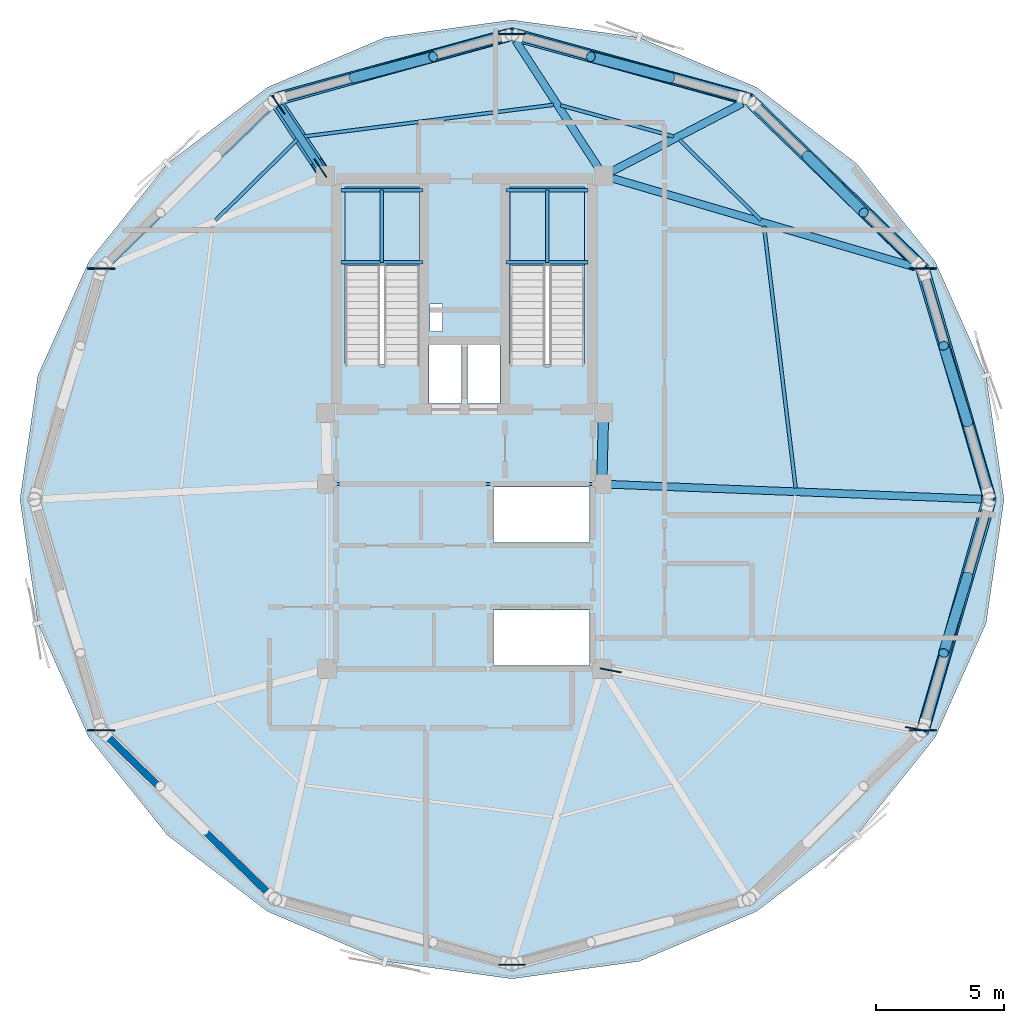
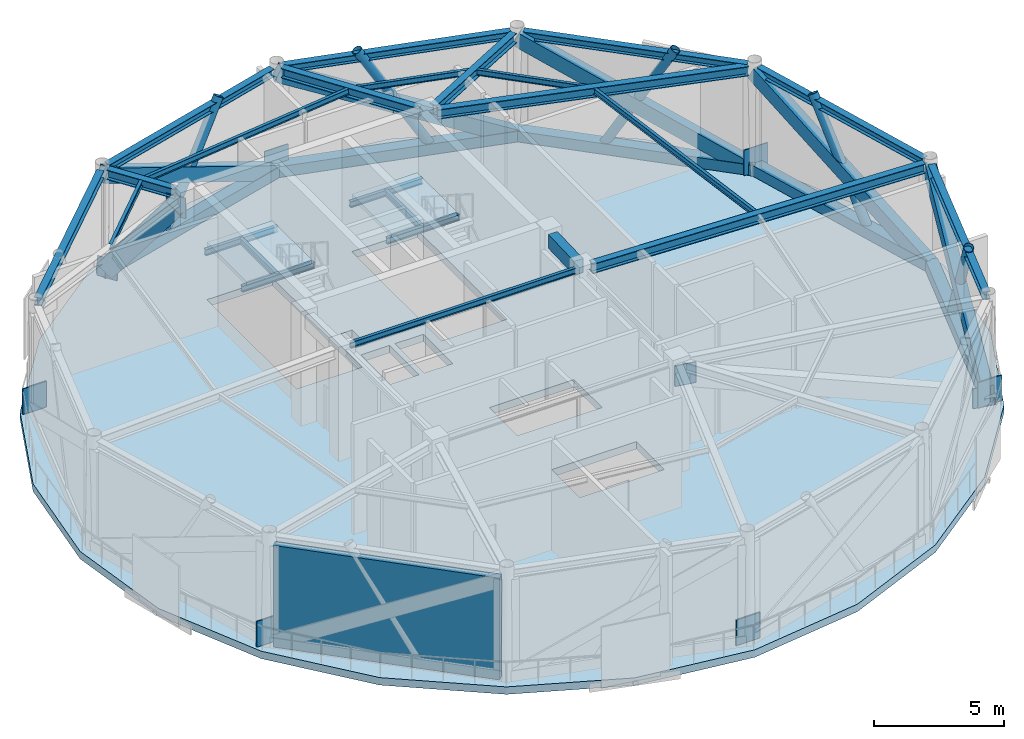
# One storey, part 2 of 10: 24 beams, 16 members, 10 plates, 3 slabs, 1 wall, 2 elements without a shape of their own.
"""IFC4 building model written with IfcOpenShell, lengths in metres."""

from ifc_helpers import new_model, si_unit, direction, frame, frame_2d, origin, origin_2d, place, context, subcontext, project, spatial, polyline, rectangle, hollow_rectangle, hollow_circle, i_section, outline, extrude, material, layer, layer_set, material_profile, profile_set, type_object, element, aggregate, save


model = new_model("IFC4")

# Units and contexts
model_context = context("Model", 3, precision=1e-05, world=origin(), true_north=direction((0.0, 1.0)))
body_context = subcontext(model_context, "Body", "Model", "MODEL_VIEW")
ifc_project = project(units=[si_unit("LENGTHUNIT", "METRE"), si_unit("AREAUNIT", "SQUARE_METRE"), si_unit("VOLUMEUNIT", "CUBIC_METRE"), si_unit("PLANEANGLEUNIT", "RADIAN"), si_unit("MASSUNIT", "GRAM", prefix="KILO")], contexts=[model_context])

# Site, building, storey
site_placement = place(None, origin())
site = spatial("IfcSite", under=ifc_project, at=site_placement, CompositionType="ELEMENT")
building_placement = place(site_placement, origin())
building = spatial("IfcBuilding", under=site, at=building_placement, Name="Varnakorn Sky Granary", CompositionType="ELEMENT")
storey_placement = place(building_placement, frame((0.0, 0.0, 240.0)))
storey = spatial("IfcBuildingStorey", under=building, at=storey_placement, Name="L61", CompositionType="ELEMENT", Elevation=240.0)

# Beams
ifc_material_1 = material(Name="Concrete C50/60", Category="concrete")
ifc_material_profile_1 = material_profile(ifc_material_1, rectangle(XDim=0.39990234375, YDim=0.64990234375, at=origin_2d()), Name="RC 400x650")
ifc_profile_set_1 = profile_set([ifc_material_profile_1], Name="Concrete C50/60")
beam_type_1 = type_object("IfcBeamType", Name="BM-LIN-650", PredefinedType="LINTEL", material=ifc_profile_set_1)
beam_1_placement = place(storey_placement, frame((8.4111328125, 3.025146484375, 4.8349609375), z_axis=(-0.025227817192, -0.999681727971, 0.0), x_axis=(0.999681727971, -0.025227817192, 0.0)))
element("IfcBeam", 1, at=beam_1_placement, inside=storey, type_object=beam_type_1, Name="Core Spine Framing Beam 2 L61", PredefinedType="LINTEL", context=body_context, shape_type="SweptSolid", body=[
    extrude(rectangle(XDim=0.39990234375, YDim=0.64990234375, at=origin_2d()), origin(), (0.0, 0.0, 1.0), 2.071044921875),
])
ifc_material_2 = material(Name="Steel S355JR", Category="steel")
ifc_material_profile_2 = material_profile(ifc_material_2, i_section(OverallWidth=0.135009765625, OverallDepth=0.27001953125, WebThickness=0.006591796875, FlangeThickness=0.01025390625, at=origin_2d()), Name="IPE 270")
ifc_profile_set_2 = profile_set([ifc_material_profile_2], Name="Steel S355JR")
beam_type_2 = type_object("IfcBeamType", Name="BM-LND-270", PredefinedType="BEAM", material=ifc_profile_set_2)
for number, where, z_axis, x_axis, name in (
    (2, (-1.820068359375, 9.239990234375, 2.364990234375), (1.0, 0.0, 0.0), (0.0, 1.0, 0.0), "Stair ST-1 Landing Trimmer Beam A L61-1"),
    (3, (-1.820068359375, 12.06005859375, 2.364990234375), (1.0, 0.0, 0.0), (0.0, 1.0, 0.0), "Stair ST-1 Landing Trimmer Beam B L61-1"),
):
    element("IfcBeam", number, at=place(storey_placement, frame(where, z_axis=z_axis, x_axis=x_axis)), inside=storey, type_object=beam_type_2, Name=name, PredefinedType="BEAM", context=body_context, shape_type="SweptSolid", body=[
        extrude(i_section(OverallWidth=0.135009765625, OverallDepth=0.27001953125, WebThickness=0.006591796875, FlangeThickness=0.01025390625, at=origin_2d()), origin(), (0.0, 0.0, 1.0), 3.199951171875),
    ])
beam_2_placement = place(storey_placement, frame((-0.219970703125, 9.239990234375, 2.364990234375), z_axis=(0.0, 1.0, 0.0), x_axis=(-1.0, 0.0, 0.0)))
element("IfcBeam", 4, at=beam_2_placement, inside=storey, type_object=beam_type_2, Name="Stair ST-1 Landing Cross Beam C L61-1", PredefinedType="BEAM", context=body_context, shape_type="SweptSolid", body=[
    extrude(i_section(OverallWidth=0.135009765625, OverallDepth=0.27001953125, WebThickness=0.006591796875, FlangeThickness=0.01025390625, at=origin_2d()), origin(), (0.0, 0.0, 1.0), 2.820068359375),
])
for number, where, z_axis, x_axis, name in (
    (5, (4.6201171875, 9.239990234375, 2.364990234375), (1.0, 0.0, 0.0), (0.0, 1.0, 0.0), "Stair ST-2 Landing Trimmer Beam A L61-1"),
    (6, (4.6201171875, 12.06005859375, 2.364990234375), (1.0, 0.0, 0.0), (0.0, 1.0, 0.0), "Stair ST-2 Landing Trimmer Beam B L61-1"),
):
    element("IfcBeam", number, at=place(storey_placement, frame(where, z_axis=z_axis, x_axis=x_axis)), inside=storey, type_object=beam_type_2, Name=name, PredefinedType="BEAM", context=body_context, shape_type="SweptSolid", body=[
        extrude(i_section(OverallWidth=0.135009765625, OverallDepth=0.27001953125, WebThickness=0.006591796875, FlangeThickness=0.01025390625, at=origin_2d()), origin(), (0.0, 0.0, 1.0), 3.199951171875),
    ])
beam_3_placement = place(storey_placement, frame((6.219970703125, 9.239990234375, 2.364990234375), z_axis=(0.0, 1.0, 0.0), x_axis=(-1.0, 0.0, 0.0)))
element("IfcBeam", 7, at=beam_3_placement, inside=storey, type_object=beam_type_2, Name="Stair ST-2 Landing Cross Beam C L61-1", PredefinedType="BEAM", context=body_context, shape_type="SweptSolid", body=[
    extrude(i_section(OverallWidth=0.135009765625, OverallDepth=0.27001953125, WebThickness=0.006591796875, FlangeThickness=0.01025390625, at=origin_2d()), origin(), (0.0, 0.0, 1.0), 2.820068359375),
])
ifc_material_profile_3 = material_profile(ifc_material_2, i_section(OverallWidth=0.300048828125, OverallDepth=0.449951171875, WebThickness=0.013916015625, FlangeThickness=0.02587890625, at=origin_2d()), Name="HE 450 B")
ifc_profile_set_3 = profile_set([ifc_material_profile_3], Name="Steel S355JR")
beam_type_3 = type_object("IfcBeamType", Name="BM-RAD-Z5", PredefinedType="BEAM", material=ifc_profile_set_3)
beam_4_placement = place(storey_placement, frame((8.70458984375, 0.5859375, 4.93505859375), z_axis=(0.999207366907, -0.03980751084, 0.0), x_axis=(0.03980751084, 0.999207366907, 0.0)))
element("IfcBeam", 8, at=beam_4_placement, inside=storey, type_object=beam_type_3, Name="Radial Floor Girder RG01 L61", PredefinedType="BEAM", context=body_context, shape_type="SweptSolid", body=[
    extrude(i_section(OverallWidth=0.300048828125, OverallDepth=0.449951171875, WebThickness=0.013916015625, FlangeThickness=0.02587890625, at=origin_2d()), origin(), (0.0, 0.0, 1.0), 14.45556640625),
])
beam_5_placement = place(storey_placement, frame((8.760498046875, 12.52001953125, 4.93505859375), z_axis=(0.959566406623, -0.281482346304, 0.0), x_axis=(0.281482346304, 0.959566406623, 0.0)))
element("IfcBeam", 9, at=beam_5_placement, inside=storey, type_object=beam_type_3, Name="Radial Floor Girder RG02 L61", PredefinedType="BEAM", context=body_context, shape_type="SweptSolid", body=[
    extrude(i_section(OverallWidth=0.300048828125, OverallDepth=0.449951171875, WebThickness=0.013916015625, FlangeThickness=0.02587890625, at=origin_2d()), origin(), (0.0, 0.0, 1.0), 12.2919921875),
])
beam_6_placement = place(storey_placement, frame((8.73486328125, 12.7841796875, 4.93505859375), z_axis=(0.886683317226, 0.46237722149, 0.0), x_axis=(-0.46237722149, 0.886683317226, 0.0)))
element("IfcBeam", 10, at=beam_6_placement, inside=storey, type_object=beam_type_3, Name="Radial Floor Girder RG03 L61", PredefinedType="BEAM", context=body_context, shape_type="SweptSolid", body=[
    extrude(i_section(OverallWidth=0.300048828125, OverallDepth=0.449951171875, WebThickness=0.013916015625, FlangeThickness=0.02587890625, at=origin_2d()), origin(), (0.0, 0.0, 1.0), 5.745849609375),
])
beam_7_placement = place(storey_placement, frame((8.226318359375, 12.91748046875, 4.93505859375), z_axis=(-0.545405351521, 0.838172418141, 0.0), x_axis=(-0.838172418141, -0.545405351521, 0.0)))
element("IfcBeam", 11, at=beam_7_placement, inside=storey, type_object=beam_type_3, Name="Radial Floor Girder RG04 L61", PredefinedType="BEAM", context=body_context, shape_type="SweptSolid", body=[
    extrude(i_section(OverallWidth=0.300048828125, OverallDepth=0.449951171875, WebThickness=0.013916015625, FlangeThickness=0.02587890625, at=origin_2d()), origin(), (0.0, 0.0, 1.0), 5.92578125),
])
beam_8_placement = place(storey_placement, frame((-2.615478515625, 12.916259765625, 4.93505859375), z_axis=(-0.551188382075, 0.834380828798, 0.0), x_axis=(-0.834380828798, -0.551188382075, 0.0)))
element("IfcBeam", 12, at=beam_8_placement, inside=storey, type_object=beam_type_3, Name="Radial Floor Girder RG05 L61", PredefinedType="BEAM", context=body_context, shape_type="SweptSolid", body=[
    extrude(i_section(OverallWidth=0.300048828125, OverallDepth=0.449951171875, WebThickness=0.013916015625, FlangeThickness=0.02587890625, at=origin_2d()), origin(), (0.0, 0.0, 1.0), 2.907958984375),
])
ifc_material_profile_4 = material_profile(ifc_material_2, i_section(OverallWidth=0.135009765625, OverallDepth=0.27001953125, WebThickness=0.006591796875, FlangeThickness=0.01025390625, at=origin_2d()), Name="IPE 270")
ifc_profile_set_4 = profile_set([ifc_material_profile_4], Name="Steel S355JR")
beam_type_4 = type_object("IfcBeamType", Name="BM-SEC-Z5", PredefinedType="BEAM", material=ifc_profile_set_4)
beam_9_placement = place(storey_placement, frame((15.909912109375, 0.437255859375, 5.02490234375), z_axis=(-0.120050017353, 0.992767844631, 0.0), x_axis=(-0.992767844631, -0.120050017353, 0.0)))
element("IfcBeam", 13, at=beam_9_placement, inside=storey, type_object=beam_type_4, Name="Secondary Floor Chord Beam MSB01 L61", PredefinedType="BEAM", context=body_context, shape_type="SweptSolid", body=[
    extrude(i_section(OverallWidth=0.135009765625, OverallDepth=0.27001953125, WebThickness=0.006591796875, FlangeThickness=0.01025390625, at=origin_2d()), origin(), (0.0, 0.0, 1.0), 10.288330078125),
])
beam_10_placement = place(storey_placement, frame((14.55810546875, 10.88818359375, 5.02490234375), z_axis=(-0.712699529085, 0.701469444268, 0.0), x_axis=(-0.701469444268, -0.712699529085, 0.0)))
element("IfcBeam", 14, at=beam_10_placement, inside=storey, type_object=beam_type_4, Name="Secondary Floor Chord Beam MSB02 L61", PredefinedType="BEAM", context=body_context, shape_type="SweptSolid", body=[
    extrude(i_section(OverallWidth=0.135009765625, OverallDepth=0.27001953125, WebThickness=0.006591796875, FlangeThickness=0.01025390625, at=origin_2d()), origin(), (0.0, 0.0, 1.0), 4.456787109375),
])
beam_11_placement = place(storey_placement, frame((11.147216796875, 14.14990234375, 5.02490234375), z_axis=(-0.964017191368, 0.265839904353, 0.0), x_axis=(-0.265839904353, -0.964017191368, 0.0)))
element("IfcBeam", 15, at=beam_11_placement, inside=storey, type_object=beam_type_4, Name="Secondary Floor Chord Beam MSB03 L61", PredefinedType="BEAM", context=body_context, shape_type="SweptSolid", body=[
    extrude(i_section(OverallWidth=0.135009765625, OverallDepth=0.27001953125, WebThickness=0.006591796875, FlangeThickness=0.01025390625, at=origin_2d()), origin(), (0.0, 0.0, 1.0), 4.566162109375),
])
beam_12_placement = place(storey_placement, frame((6.471435546875, 15.38330078125, 5.02490234375), z_axis=(-0.992055396936, -0.125801786199, 0.0), x_axis=(0.125801786199, -0.992055396936, 0.0)))
element("IfcBeam", 16, at=beam_12_placement, inside=storey, type_object=beam_type_4, Name="Secondary Floor Chord Beam MSB04 L61", PredefinedType="BEAM", context=body_context, shape_type="SweptSolid", body=[
    extrude(i_section(OverallWidth=0.135009765625, OverallDepth=0.27001953125, WebThickness=0.006591796875, FlangeThickness=0.01025390625, at=origin_2d()), origin(), (0.0, 0.0, 1.0), 9.82763671875),
])
beam_13_placement = place(storey_placement, frame((-3.5166015625, 14.031005859375, 5.02490234375), z_axis=(-0.711830622173, -0.702351169528, 0.0), x_axis=(0.702351169528, -0.711830622173, 0.0)))
element("IfcBeam", 17, at=beam_13_placement, inside=storey, type_object=beam_type_4, Name="Secondary Floor Chord Beam MSB05 L61", PredefinedType="BEAM", context=body_context, shape_type="SweptSolid", body=[
    extrude(i_section(OverallWidth=0.135009765625, OverallDepth=0.27001953125, WebThickness=0.006591796875, FlangeThickness=0.01025390625, at=origin_2d()), origin(), (0.0, 0.0, 1.0), 4.481201171875),
])
beam_14_placement = place(storey_placement, frame((-1.9951171875, 0.60009765625, 5.02490234375), z_axis=(1.0, 0.0, 0.0), x_axis=(0.0, 1.0, 0.0)))
element("IfcBeam", 18, at=beam_14_placement, inside=storey, type_object=beam_type_4, Name="Core Spine Framing Beam 5 L61", PredefinedType="BEAM", context=body_context, shape_type="SweptSolid", body=[
    extrude(i_section(OverallWidth=0.135009765625, OverallDepth=0.27001953125, WebThickness=0.006591796875, FlangeThickness=0.01025390625, at=origin_2d()), origin(), (0.0, 0.0, 1.0), 9.990234375),
])
ifc_material_profile_5 = material_profile(ifc_material_2, i_section(OverallWidth=0.300048828125, OverallDepth=0.360107421875, WebThickness=0.012451171875, FlangeThickness=0.0224609375, at=origin_2d()), Name="HE 360 B")
ifc_profile_set_5 = profile_set([ifc_material_profile_5], Name="Steel S355JR")
beam_type_5 = type_object("IfcBeamType", Name="BM-SPD-Z5", PredefinedType="SPANDREL", material=ifc_profile_set_5)
beam_15_placement = place(storey_placement, frame((23.33935546875, 0.25390625, 4.97998046875), z_axis=(-0.278321345888, 0.960488015762, 0.0), x_axis=(-0.960488015762, -0.278321345888, 0.0)))
element("IfcBeam", 19, at=beam_15_placement, inside=storey, type_object=beam_type_5, Name="Perimeter Spandrel Ring Beam RB01 L61", PredefinedType="SPANDREL", context=body_context, shape_type="SweptSolid", body=[
    extrude(i_section(OverallWidth=0.300048828125, OverallDepth=0.360107421875, WebThickness=0.012451171875, FlangeThickness=0.0224609375, at=origin_2d()), origin(), (0.0, 0.0, 1.0), 8.826171875),
])
beam_16_placement = place(storey_placement, frame((20.61962890625, 9.170166015625, 4.97998046875), z_axis=(-0.715919168212, 0.698183174093, 0.0), x_axis=(-0.698183174093, -0.715919168212, 0.0)))
element("IfcBeam", 20, at=beam_16_placement, inside=storey, type_object=beam_type_5, Name="Perimeter Spandrel Ring Beam RB02 L61", PredefinedType="SPANDREL", context=body_context, shape_type="SweptSolid", body=[
    extrude(i_section(OverallWidth=0.300048828125, OverallDepth=0.360107421875, WebThickness=0.012451171875, FlangeThickness=0.0224609375, at=origin_2d()), origin(), (0.0, 0.0, 1.0), 8.892333984375),
])
for number, where, z_axis, x_axis, name in (
    (21, (13.80908203125, 15.6337890625, 4.97998046875), (-0.963972060188, 0.266003509709, 0.0), (-0.266003509709, -0.963972060188, 0.0), "Perimeter Spandrel Ring Beam RB03 L61"),
    (22, (4.594970703125, 18.03564453125, 4.97998046875), (-0.963970146935, -0.266010443061, 0.0), (0.266010443061, -0.963970146935, 0.0), "Perimeter Spandrel Ring Beam RB04 L61"),
):
    element("IfcBeam", number, at=place(storey_placement, frame(where, z_axis=z_axis, x_axis=x_axis)), inside=storey, type_object=beam_type_5, Name=name, PredefinedType="SPANDREL", context=body_context, shape_type="SweptSolid", body=[
        extrude(i_section(OverallWidth=0.300048828125, OverallDepth=0.360107421875, WebThickness=0.012451171875, FlangeThickness=0.0224609375, at=origin_2d()), origin(), (0.0, 0.0, 1.0), 9.029296875),
    ])
beam_17_placement = place(storey_placement, frame((-4.553466796875, 15.378662109375, 4.97998046875), z_axis=(-0.715919168212, -0.698183174093, 0.0), x_axis=(0.698183174093, -0.715919168212, 0.0)))
element("IfcBeam", 23, at=beam_17_placement, inside=storey, type_object=beam_type_5, Name="Perimeter Spandrel Ring Beam RB05 L61", PredefinedType="SPANDREL", context=body_context, shape_type="SweptSolid", body=[
    extrude(i_section(OverallWidth=0.300048828125, OverallDepth=0.360107421875, WebThickness=0.012451171875, FlangeThickness=0.0224609375, at=origin_2d()), origin(), (0.0, 0.0, 1.0), 8.892333984375),
])
beam_18_placement = place(storey_placement, frame((20.8828125, -8.7314453125, 4.97998046875), z_axis=(0.278321345888, 0.960488015762, 0.0), x_axis=(-0.960488015762, 0.278321345888, 0.0)))
element("IfcBeam", 24, at=beam_18_placement, inside=storey, type_object=beam_type_5, Name="Perimeter Spandrel Ring Beam RB12 L61", PredefinedType="SPANDREL", context=body_context, shape_type="SweptSolid", body=[
    extrude(i_section(OverallWidth=0.300048828125, OverallDepth=0.360107421875, WebThickness=0.012451171875, FlangeThickness=0.0224609375, at=origin_2d()), origin(), (0.0, 0.0, 1.0), 8.826171875),
])

# Members
ifc_material_3 = material(Name="Steel S460M", Category="steel")
ifc_material_profile_6 = material_profile(ifc_material_3, hollow_rectangle(XDim=0.449951171875, YDim=0.64990234375, WallThickness=0.02490234375, at=origin_2d()), Name="RHS 450x650x25")
ifc_profile_set_6 = profile_set([ifc_material_profile_6], Name="Steel S460M")
member_type_1 = type_object("IfcMemberType", Name="MB-BELT-650", PredefinedType="BRACE", material=ifc_profile_set_6)
member_1_placement = place(storey_placement, frame((23.48095703125, 0.0, 0.14990234375), z_axis=(-0.255221347058, 0.858317039333, 0.445144834854), x_axis=(-0.95852231972, -0.285017477707, 0.0)))
element("IfcMember", 25, at=member_1_placement, inside=storey, type_object=member_type_1, Name="Perimeter Belt-Truss Diagonal BT01 L61", PredefinedType="BRACE", context=body_context, shape_type="SweptSolid", body=[
    extrude(hollow_rectangle(XDim=0.449951171875, YDim=0.64990234375, WallThickness=0.02490234375, at=origin_2d()), origin(), (0.0, 0.0, 1.0), 10.46875),
])
member_2_placement = place(storey_placement, frame((20.867919921875, 9.00244140625, 0.14990234375), z_axis=(-0.645643365632, 0.622568953483, 0.442213232021), x_axis=(-0.694126488243, -0.719853053282, 0.0)))
element("IfcMember", 26, at=member_2_placement, inside=storey, type_object=member_type_1, Name="Perimeter Belt-Truss Diagonal BT02 L61", PredefinedType="BRACE", context=body_context, shape_type="SweptSolid", body=[
    extrude(hollow_rectangle(XDim=0.449951171875, YDim=0.64990234375, WallThickness=0.02490234375, at=origin_2d()), origin(), (0.0, 0.0, 1.0), 10.538330078125),
])
member_3_placement = place(storey_placement, frame((14.097900390625, 15.5927734375, 0.14990234375), z_axis=(-0.867831519865, 0.235841961654, 0.43731798757), x_axis=(-0.262248572066, -0.965000355673, 0.0)))
element("IfcMember", 27, at=member_3_placement, inside=storey, type_object=member_type_1, Name="Perimeter Belt-Truss Diagonal BT03 L61", PredefinedType="BRACE", context=body_context, shape_type="SweptSolid", body=[
    extrude(hollow_rectangle(XDim=0.449951171875, YDim=0.64990234375, WallThickness=0.02490234375, at=origin_2d()), origin(), (0.0, 0.0, 1.0), 10.65625),
])
member_4_placement = place(storey_placement, frame((4.85009765625, 18.139892578125, 0.14990234375), z_axis=(-0.865810183593, -0.242117608904, 0.437894724157), x_axis=(0.269310942869, -0.963053277888, 0.0)))
element("IfcMember", 28, at=member_4_placement, inside=storey, type_object=member_type_1, Name="Perimeter Belt-Truss Diagonal BT04 L61", PredefinedType="BRACE", context=body_context, shape_type="SweptSolid", body=[
    extrude(hollow_rectangle(XDim=0.449951171875, YDim=0.64990234375, WallThickness=0.02490234375, at=origin_2d()), origin(), (0.0, 0.0, 1.0), 10.64208984375),
])
member_5_placement = place(storey_placement, frame((20.867919921875, -9.00244140625, 0.14990234375), z_axis=(0.243515999807, 0.861334194426, 0.445873707848), x_axis=(-0.962281485658, 0.272055770678, 0.0)))
element("IfcMember", 29, at=member_5_placement, inside=storey, type_object=member_type_1, Name="Perimeter Belt-Truss Diagonal BT12 L61", PredefinedType="BRACE", context=body_context, shape_type="SweptSolid", body=[
    extrude(hollow_rectangle(XDim=0.449951171875, YDim=0.64990234375, WallThickness=0.02490234375, at=origin_2d()), origin(), (0.0, 0.0, 1.0), 10.45166015625),
])
ifc_material_profile_7 = material_profile(ifc_material_3, hollow_rectangle(XDim=0.5, YDim=0.5, WallThickness=0.02490234375, at=origin_2d()), Name="SHS 500x500x25")
ifc_profile_set_7 = profile_set([ifc_material_profile_7], Name="Steel S460M")
member_type_2 = type_object("IfcMemberType", Name="MB-CHD-500", PredefinedType="CHORD", material=ifc_profile_set_7)
member_6_placement = place(storey_placement, frame((23.48095703125, 0.0, 0.25), z_axis=(-0.278753631457, 0.960362646582, 0.0), x_axis=(-0.960362646582, -0.278753631457, 0.0)))
element("IfcMember", 30, at=member_6_placement, inside=storey, type_object=member_type_2, Name="Belt-Truss Bottom Chord BCH01 L61", PredefinedType="CHORD", context=body_context, shape_type="SweptSolid", body=[
    extrude(hollow_rectangle(XDim=0.5, YDim=0.5, WallThickness=0.02490234375, at=origin_2d()), origin(), (0.0, 0.0, 1.0), 9.3740234375),
])
member_7_placement = place(storey_placement, frame((20.867919921875, 9.00244140625, 0.25), z_axis=(-0.716552075524, 0.697533599953, 0.0), x_axis=(-0.697533599953, -0.716552075524, 0.0)))
element("IfcMember", 31, at=member_7_placement, inside=storey, type_object=member_type_2, Name="Belt-Truss Bottom Chord BCH02 L61", PredefinedType="CHORD", context=body_context, shape_type="SweptSolid", body=[
    extrude(hollow_rectangle(XDim=0.5, YDim=0.5, WallThickness=0.02490234375, at=origin_2d()), origin(), (0.0, 0.0, 1.0), 9.447998046875),
])
for number, where, z_axis, x_axis, name in (
    (32, (14.097900390625, 15.5927734375, 0.25), (-0.964099410982, 0.265541570653, 0.0), (-0.265541570653, -0.964099410982, 0.0), "Belt-Truss Bottom Chord BCH03 L61"),
    (33, (4.85009765625, 18.139892578125, 0.25), (-0.964101205601, -0.265535054858, 0.0), (0.265535054858, -0.964101205601, 0.0), "Belt-Truss Bottom Chord BCH04 L61"),
):
    element("IfcMember", number, at=place(storey_placement, frame(where, z_axis=z_axis, x_axis=x_axis)), inside=storey, type_object=member_type_2, Name=name, PredefinedType="CHORD", context=body_context, shape_type="SweptSolid", body=[
        extrude(hollow_rectangle(XDim=0.5, YDim=0.5, WallThickness=0.02490234375, at=origin_2d()), origin(), (0.0, 0.0, 1.0), 9.59228515625),
    ])
member_8_placement = place(storey_placement, frame((20.867919921875, -9.00244140625, 0.25), z_axis=(0.278753631457, 0.960362646582, 0.0), x_axis=(-0.960362646582, 0.278753631457, 0.0)))
element("IfcMember", 34, at=member_8_placement, inside=storey, type_object=member_type_2, Name="Belt-Truss Bottom Chord BCH12 L61", PredefinedType="CHORD", context=body_context, shape_type="SweptSolid", body=[
    extrude(hollow_rectangle(XDim=0.5, YDim=0.5, WallThickness=0.02490234375, at=origin_2d()), origin(), (0.0, 0.0, 1.0), 9.3740234375),
])
ifc_material_profile_8 = material_profile(ifc_material_3, hollow_circle(Radius=0.203125, WallThickness=0.01611328125, at=origin_2d()), Name="CHS 406.4x16")
ifc_profile_set_8 = profile_set([ifc_material_profile_8], Name="Steel S460M")
member_type_3 = type_object("IfcMemberType", Name="MB-DIAG-T4", PredefinedType="BRACE", material=ifc_profile_set_8)
member_9_placement = place(storey_placement, frame((22.610107421875, 3.000732421875, -0.1298828125), z_axis=(-0.149066444452, 0.477582054503, 0.865849049405), x_axis=(-0.954581183662, -0.297950941932, 0.0)))
element("IfcMember", 35, at=member_9_placement, inside=storey, type_object=member_type_3, Name="Perimeter CHS Diagrid Brace DG01 L61", PredefinedType="BRACE", context=body_context, shape_type="SweptSolid", body=[
    extrude(hollow_circle(Radius=0.203125, WallThickness=0.01611328125, at=origin_2d()), origin(), (0.0, 0.0, 1.0), 6.259765625),
])
member_10_placement = place(storey_placement, frame((16.354736328125, 13.39599609375, -0.1298828125), z_axis=(0.352520820354, -0.354432453842, 0.866087008839), x_axis=(0.709016237656, 0.70519215448, 0.0)))
element("IfcMember", 36, at=member_10_placement, inside=storey, type_object=member_type_3, Name="Perimeter CHS Diagrid Brace DG02 L61", PredefinedType="BRACE", context=body_context, shape_type="SweptSolid", body=[
    extrude(hollow_circle(Radius=0.203125, WallThickness=0.01611328125, at=origin_2d()), origin(), (0.0, 0.0, 1.0), 6.258056640625),
])
for number, where, z_axis, x_axis, name in (
    (37, (11.015380859375, 16.44189453125, -0.1298828125), (-0.491575645516, 0.129711114859, 0.861120439554), (-0.255135438173, -0.966905325349, 0.0), "Perimeter CHS Diagrid Brace DG03 L61"),
    (38, (-1.315185546875, 16.44189453125, -0.1298828125), (0.491575645516, 0.129711114859, 0.861120439554), (-0.255135438173, 0.966905325349, 0.0), "Perimeter CHS Diagrid Brace DG04 L61"),
):
    element("IfcMember", number, at=place(storey_placement, frame(where, z_axis=z_axis, x_axis=x_axis)), inside=storey, type_object=member_type_3, Name=name, PredefinedType="BRACE", context=body_context, shape_type="SweptSolid", body=[
        extrude(hollow_circle(Radius=0.203125, WallThickness=0.01611328125, at=origin_2d()), origin(), (0.0, 0.0, 1.0), 6.2939453125),
    ])
member_11_placement = place(storey_placement, frame((22.610107421875, -3.000732421875, -0.1298828125), z_axis=(-0.149066444452, -0.477582054503, 0.865849049405), x_axis=(0.954581183662, -0.297950941932, 0.0)))
element("IfcMember", 39, at=member_11_placement, inside=storey, type_object=member_type_3, Name="Perimeter CHS Diagrid Brace DG12 L61", PredefinedType="BRACE", context=body_context, shape_type="SweptSolid", body=[
    extrude(hollow_circle(Radius=0.203125, WallThickness=0.01611328125, at=origin_2d()), origin(), (0.0, 0.0, 1.0), 6.259765625),
])
ifc_material_profile_9 = material_profile(ifc_material_3, hollow_rectangle(XDim=0.5, YDim=0.800048828125, WallThickness=0.030029296875, at=origin_2d()), Name="RHS 500x800x30")
ifc_profile_set_9 = profile_set([ifc_material_profile_9], Name="Steel S460M")
member_type_4 = type_object("IfcMemberType", Name="MB-OUT-800", PredefinedType="BRACE", material=ifc_profile_set_9)
member_12_placement = place(storey_placement, frame((-2.61669921875, 12.91552734375, 4.31005859375), z_axis=(-0.336440686436, 0.505665930152, -0.794424088), x_axis=(-0.83255902979, -0.553936333811, 0.0)))
element("IfcMember", 40, at=member_12_placement, inside=storey, type_object=member_type_4, Name="Radial Outrigger Truss Diagonal OUT05 L61", PredefinedType="BRACE", context=body_context, shape_type="SweptSolid", body=[
    extrude(hollow_rectangle(XDim=0.5, YDim=0.800048828125, WallThickness=0.030029296875, at=origin_2d()), origin(), (0.0, 0.0, 1.0), 4.85888671875),
])

# Plates
ifc_layer_1 = layer(ifc_material_3, 0.048095703125, Name="Steel S460M")
ifc_layer_set_1 = layer_set([ifc_layer_1], Name="Steel S460M")
plate_type_1 = type_object("IfcPlateType", Name="PL-NODE-KN6", PredefinedType="SHEET", material=ifc_layer_set_1)
for number, where, z_axis, x_axis, name in (
    (41, (20.867919921875, 9.00244140625, 0.0498046875), (0.0, 0.0, 1.0), (1.0, 0.0, 0.0), "Belt-Outrigger Node Assembly KN6 L61-2"),
    (42, (4.85009765625, 18.139892578125, 0.0498046875), (0.0, 0.0, 1.0), (1.0, 0.0, 0.0), "Belt-Outrigger Node Assembly KN6 L61-4"),
    (43, (-11.16796875, 9.00244140625, 0.0498046875), (0.0, 0.0, 1.0), (1.0, 0.0, 0.0), "Belt-Outrigger Node Assembly KN6 L61-6"),
    (44, (-11.16796875, -9.00244140625, 0.0498046875), (0.0, 0.0, 1.0), (1.0, 0.0, 0.0), "Belt-Outrigger Node Assembly KN6 L61-8"),
    (45, (4.85009765625, -18.139892578125, 0.0498046875), (0.0, 0.0, 1.0), (1.0, 0.0, 0.0), "Belt-Outrigger Node Assembly KN6 L61-10"),
    (46, (20.867919921875, -9.00244140625, 0.0498046875), (0.0, 0.0, 1.0), (1.0, 0.0, 0.0), "Belt-Outrigger Node Assembly KN6 L61-12"),
):
    element("IfcPlate", number, at=place(storey_placement, frame(where, z_axis=z_axis, x_axis=x_axis)), inside=storey, type_object=plate_type_1, Name=name, PredefinedType="SHEET", context=body_context, shape_type="SweptSolid", body=[
        extrude(rectangle(XDim=1.050048828125, YDim=0.048095703125, at=origin_2d()), origin(), (0.0, 0.0, 1.0), 1.199951171875),
    ])
ifc_layer_2 = layer(ifc_material_3, 0.0419921875, Name="Steel S460M")
ifc_layer_set_2 = layer_set([ifc_layer_2], Name="Steel S460M")
plate_type_2 = type_object("IfcPlateType", Name="PL-NODE-KN9", PredefinedType="SHEET", material=ifc_layer_set_2)
for number, where, z_axis, x_axis, name in (
    (47, (-2.61669921875, 12.91552734375, 3.8349609375), (0.0, 0.0, 1.0), (-0.553949291039, 0.832550408658, 0.0), "Outrigger Core Embed Gusset KN9 L61-5A"),
    (48, (-4.25146484375, 15.37255859375, -0.02490234375), (0.0, 0.0, 1.0), (-0.553949291039, 0.832550408658, 0.0), "Outrigger Perimeter Node Gusset KN9 L61-5B"),
    (49, (8.698486328125, -6.6669921875, 3.8349609375), (0.0, 0.0, 1.0), (0.982076840972, -0.1884809763, 0.0), "Outrigger Core Embed Gusset KN9 L61-12A"),
    (50, (20.608154296875, -8.95263671875, -0.02490234375), (0.0, 0.0, 1.0), (0.982076840972, -0.1884809763, 0.0), "Outrigger Perimeter Node Gusset KN9 L61-12B"),
):
    element("IfcPlate", number, at=place(storey_placement, frame(where, z_axis=z_axis, x_axis=x_axis)), inside=storey, type_object=plate_type_2, Name=name, PredefinedType="SHEET", context=body_context, shape_type="SweptSolid", body=[
        extrude(rectangle(XDim=0.85009765625, YDim=0.0419921875, at=origin_2d()), origin(), (0.0, 0.0, 1.0), 0.949951171875),
    ])

# Stair, slab
ifc_material_4 = material(Name="Concrete C40/50", Category="concrete")
stair_type = type_object("IfcStairType", Name="ST-MAIN-ASSEMBLY", PredefinedType="HALF_TURN_STAIR", material=ifc_material_4)
stair_1_placement = place(storey_placement, origin())
stair_1 = element("IfcStair", 51, at=stair_1_placement, inside=storey, type_object=stair_type, Name="L61 Protected Exit Stair ST-1", PredefinedType="HALF_TURN_STAIR")
ifc_layer_3 = layer(ifc_material_4, 0.199951171875, Name="Concrete C40/50")
ifc_layer_set_3 = layer_set([ifc_layer_3], Name="Concrete C40/50")
slab_type_1 = type_object("IfcSlabType", Name="ST-MAIN-LAND", PredefinedType="LANDING", material=ifc_layer_set_3)
slab_1_placement = place(storey_placement, frame((0.0, 0.0, 2.5)))
slab_1 = element("IfcSlab", 52, at=slab_1_placement, type_object=slab_type_1, Name="ST-1 landing 1", PredefinedType="LANDING", context=body_context, shape_type="SweptSolid", body=[
    extrude(outline(polyline([(1.239990234375, 9.1201171875), (1.239990234375, 12.179931640625), (-1.669921875, 12.179931640625), (-1.669921875, 9.1201171875), (1.239990234375, 9.1201171875)])), origin(), (0.0, 0.0, 1.0), 0.199951171875),
])
aggregate(stair_1, [slab_1])

stair_2_placement = place(storey_placement, origin())
stair_2 = element("IfcStair", 53, at=stair_2_placement, inside=storey, type_object=stair_type, Name="L61 Protected Exit Stair ST-2", PredefinedType="HALF_TURN_STAIR")
slab_2_placement = place(storey_placement, frame((0.0, 0.0, 2.5)))
slab_2 = element("IfcSlab", 54, at=slab_2_placement, type_object=slab_type_1, Name="ST-2 landing 1", PredefinedType="LANDING", context=body_context, shape_type="SweptSolid", body=[
    extrude(outline(polyline([(7.679931640625, 9.1201171875), (7.679931640625, 12.179931640625), (4.77001953125, 12.179931640625), (4.77001953125, 9.1201171875), (7.679931640625, 9.1201171875)])), origin(), (0.0, 0.0, 1.0), 0.199951171875),
])
aggregate(stair_2, [slab_2])

# Slab
ifc_layer_4 = layer(ifc_material_1, 0.35009765625, Name="Concrete C50/60")
ifc_layer_set_4 = layer_set([ifc_layer_4], Name="Concrete C50/60")
slab_type_2 = type_object("IfcSlabType", Name="ST-SL-PLANT-350", PredefinedType="FLOOR", material=ifc_layer_set_4)
slab_3_placement = place(storey_placement, frame((0.0, 0.0, -0.35009765625)))
element("IfcSlab", 55, at=slab_3_placement, inside=storey, type_object=slab_type_2, Name="Level L61 Structural Floor Slab", PredefinedType="FLOOR", context=body_context, shape_type="SweptSolid", body=[
    extrude(outline(polyline([(24.031005859375, 0.0), (23.333984375, 4.82568359375), (21.34423828125, 9.277587890625), (18.28564453125, 13.08837890625), (14.373046875, 16.069091796875), (9.802734375, 18.009765625), (4.85009765625, 18.68994140625), (-0.102783203125, 18.009765625), (-4.673095703125, 16.069091796875), (-8.585693359375, 13.08837890625), (-11.644287109375, 9.277587890625), (-13.634033203125, 4.82568359375), (-14.3310546875, 0.0), (-13.634033203125, -4.82568359375), (-11.644287109375, -9.277587890625), (-8.585693359375, -13.08837890625), (-4.673095703125, -16.069091796875), (-0.102783203125, -18.009765625), (4.85009765625, -18.68994140625), (9.802734375, -18.009765625), (14.373046875, -16.069091796875), (18.28564453125, -13.08837890625), (21.34423828125, -9.277587890625), (23.333984375, -4.82568359375), (24.031005859375, 0.0)]), holes=[polyline([(1.239990234375, 5.27490234375), (1.239990234375, 12.179931640625), (-1.669921875, 12.179931640625), (-1.669921875, 5.27490234375), (1.239990234375, 5.27490234375)]), polyline([(7.679931640625, 5.27490234375), (7.679931640625, 12.179931640625), (4.77001953125, 12.179931640625), (4.77001953125, 5.27490234375), (7.679931640625, 5.27490234375)]), polyline([(1.659912109375, 6.550048828125), (2.14990234375, 6.550048828125), (2.14990234375, 7.6201171875), (1.659912109375, 7.6201171875), (1.659912109375, 6.550048828125)]), polyline([(1.6201171875, 3.739990234375), (2.8798828125, 3.739990234375), (2.8798828125, 6.010009765625), (1.6201171875, 6.010009765625), (1.6201171875, 3.739990234375)]), polyline([(3.1201171875, 3.739990234375), (4.3798828125, 3.739990234375), (4.3798828125, 6.010009765625), (3.1201171875, 6.010009765625), (3.1201171875, 3.739990234375)]), polyline([(4.1201171875, -1.679931640625), (7.8798828125, -1.679931640625), (7.8798828125, 0.47998046875), (4.1201171875, 0.47998046875), (4.1201171875, -1.679931640625)]), polyline([(4.1201171875, -6.47998046875), (7.8798828125, -6.47998046875), (7.8798828125, -4.320068359375), (4.1201171875, -4.320068359375), (4.1201171875, -6.47998046875)])]), origin(), (0.0, 0.0, 1.0), 0.35009765625),
])

# Wall
ifc_material_5 = material(Name="Precast concrete C40/50", Category="concrete")
ifc_layer_5 = layer(ifc_material_5, 0.280029296875, Name="Precast concrete C40/50")
ifc_layer_set_5 = layer_set([ifc_layer_5], Name="Precast concrete C40/50")
wall_type = type_object("IfcWallType", Name="WT-EW-CRN-280", PredefinedType="SOLIDWALL", material=ifc_layer_set_5)
wall_placement = place(storey_placement, frame((-4.56591796875, -15.42919921875, 0.0), z_axis=(0.0, 0.0, 1.0), x_axis=(-0.716559160108, 0.69752632213, 0.0)))
element("IfcWall", 56, at=wall_placement, inside=storey, type_object=wall_type, Name="Agritech Insulated Precast Facade Wall L61-P08", PredefinedType="SOLIDWALL", context=body_context, shape_type="SweptSolid", body=[
    extrude(rectangle(XDim=8.979248046875, YDim=0.280029296875, at=frame_2d((4.48974609375, 0.0))), origin(), (0.0, 0.0, 1.0), 4.77001953125),
])

save(model, "model.ifc")
